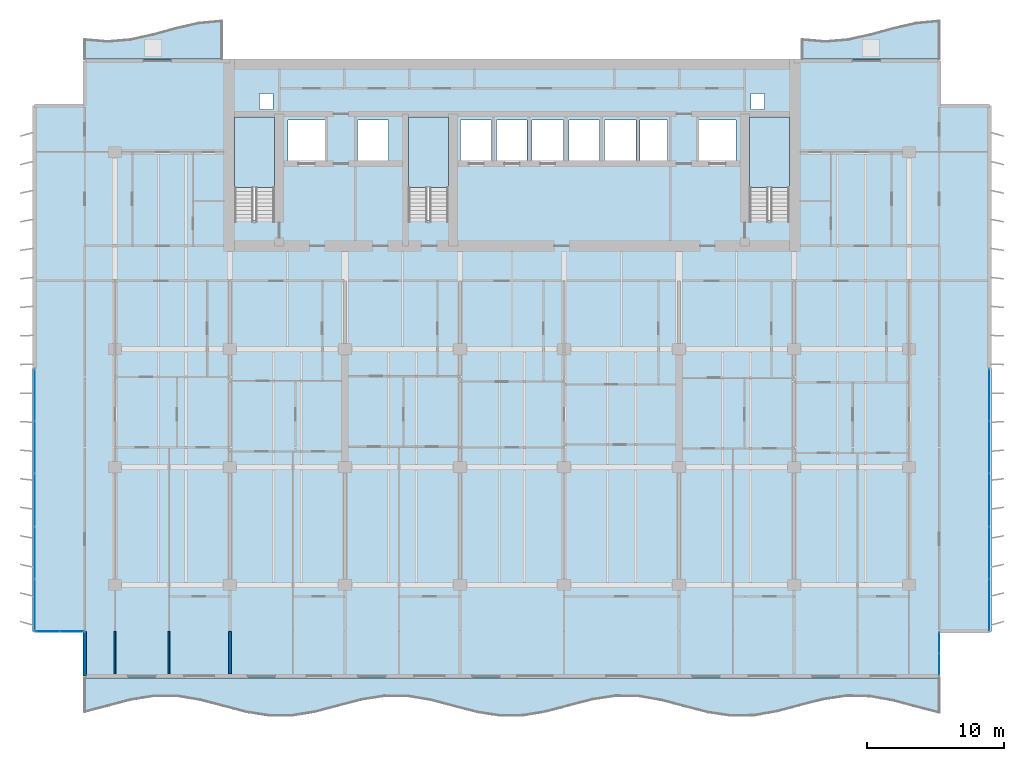
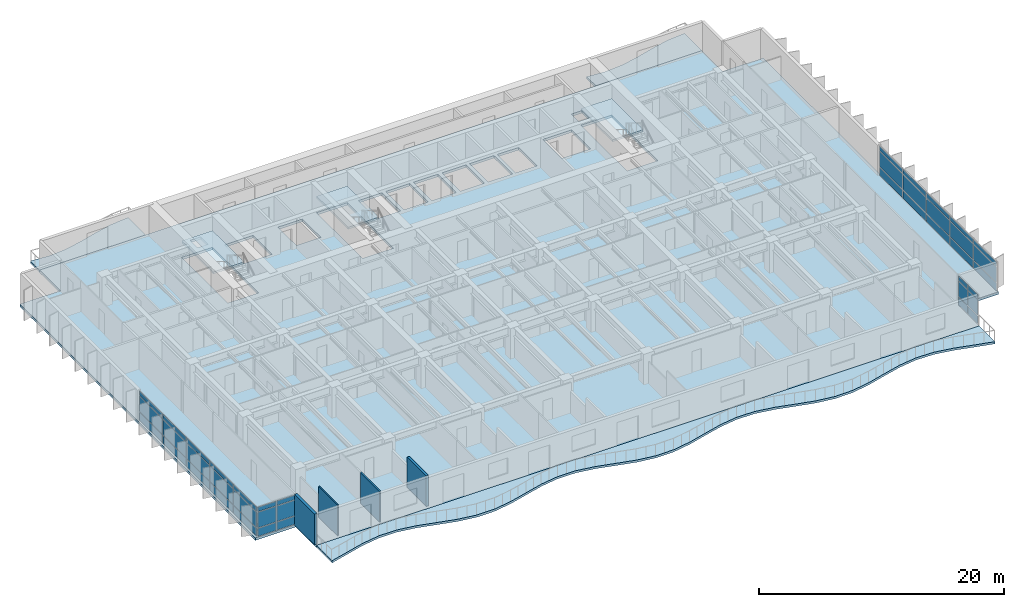
# One storey, part 5 of 17: 42 plates, 7 slabs, 4 walls, 7 elements without a shape of their own.
"""IFC4 building model written with IfcOpenShell, lengths in metres."""

import ifcopenshell
import ifcopenshell.guid

model = None  # the IFC model being written
_history = None  # IfcOwnerHistory: only IFC2X3 demands one
_inside = {}  # id of a spatial element -> (the spatial element, [elements in it])
_under = {}  # id of a project, library or spatial element -> (it, [spatial elements below it])
_declared = {}  # id of a project -> (the project, [libraries it declares])
_typed = {}  # id of a type object -> (the type object, [elements of that type])
_made_of = {}  # id of a material, layer set ... -> (it, [elements and type objects made of it])


def new_model(schema):
    """Start an empty IFC model of exactly this schema.

    Asked for "IFC4X3", IfcOpenShell would pick the latest addendum, in which some entities
    have other attributes; the version numbers below select the first issue.
    IFC2X3 requires an IfcOwnerHistory on every rooted entity: one is made here for all.
    """
    global model, _history
    if schema == "IFC4X3":
        model = ifcopenshell.file(schema_version=(4, 3, 0, 0))
    else:
        model = ifcopenshell.file(schema=schema)
    _inside.clear()
    _under.clear()
    _declared.clear()
    _typed.clear()
    _made_of.clear()
    _history = None
    if model.schema == "IFC2X3":
        org = make("IfcOrganization", Name="unknown")
        user = make(
            "IfcPersonAndOrganization",
            ThePerson=make("IfcPerson", FamilyName="unknown"),
            TheOrganization=org,
        )
        app = make(
            "IfcApplication",
            ApplicationDeveloper=org,
            Version="unknown",
            ApplicationFullName="unknown",
            ApplicationIdentifier="unknown",
        )
        _history = make(
            "IfcOwnerHistory",
            OwningUser=user,
            OwningApplication=app,
            ChangeAction="ADDED",
            CreationDate=0,
        )
    return model


def make(cls, **values):
    """One entity of the class cls with the attributes given. An attribute that is None is left unset."""
    return model.create_entity(
        cls, **{name: value for name, value in values.items() if value is not None}
    )


def rooted(cls, **values):
    """An entity with a GlobalId (a new one), such as an element, a storey or a relation."""
    return make(cls, GlobalId=ifcopenshell.guid.new(), OwnerHistory=_history, **values)


def si_unit(unit_type, name, prefix=None):
    """IfcSIUnit, for example si_unit("LENGTHUNIT", "METRE", prefix="MILLI")."""
    return make("IfcSIUnit", UnitType=unit_type, Prefix=prefix, Name=name)


def assignment(units):
    """IfcUnitAssignment: the units of a project."""
    return None if units is None else make("IfcUnitAssignment", Units=units)


def point(xyz):
    """IfcCartesianPoint."""
    return None if xyz is None else make("IfcCartesianPoint", Coordinates=xyz)


def direction(xyz):
    """IfcDirection."""
    return None if xyz is None else make("IfcDirection", DirectionRatios=xyz)


def frame(location, z_axis=None, x_axis=None):
    """IfcAxis2Placement3D, a coordinate frame: its origin and axes. An axis left out is left unset."""
    return make(
        "IfcAxis2Placement3D",
        Location=point(location),
        Axis=direction(z_axis),
        RefDirection=direction(x_axis),
    )


def frame_2d(location, x_axis=None):
    """IfcAxis2Placement2D, a coordinate frame in the plane: its origin and x axis."""
    return make(
        "IfcAxis2Placement2D", Location=point(location), RefDirection=direction(x_axis)
    )


def origin():
    """The frame at (0, 0, 0) with its axes left unset."""
    return frame((0.0, 0.0, 0.0))


def origin_2d():
    """The frame at (0, 0) in the plane with its x axis left unset."""
    return frame_2d((0.0, 0.0))


def place(relative_to, where):
    """IfcLocalPlacement: puts the frame where relative to a parent placement (None: the world)."""
    return make(
        "IfcLocalPlacement", PlacementRelTo=relative_to, RelativePlacement=where
    )


def context(
    kind, dimensions, precision=None, world=None, true_north=None, identifier=None
):
    """IfcGeometricRepresentationContext, for example the 3D "Model" context."""
    return make(
        "IfcGeometricRepresentationContext",
        ContextIdentifier=identifier,
        ContextType=kind,
        CoordinateSpaceDimension=dimensions,
        Precision=precision,
        WorldCoordinateSystem=world,
        TrueNorth=true_north,
    )


def subcontext(parent, identifier, kind, view, scale=None):
    """IfcGeometricRepresentationSubContext, for example "Body" below "Model"."""
    return make(
        "IfcGeometricRepresentationSubContext",
        ContextIdentifier=identifier,
        ContextType=kind,
        ParentContext=parent,
        TargetScale=scale,
        TargetView=view,
    )


def project(units=None, contexts=None):
    """IfcProject with its units and contexts."""
    return rooted(
        "IfcProject",
        Name="project",
        RepresentationContexts=contexts,
        UnitsInContext=assignment(units),
    )


def spatial(cls, under=None, at=None, **own):
    """A site, building, storey or space (cls), placed at a placement, below another one or the project."""
    s = rooted(cls, ObjectPlacement=at, **own)
    if under is not None:
        _under.setdefault(under.id(), (under, []))[1].append(s)
    return s


def polyline(points):
    """IfcPolyline through the points."""
    return make("IfcPolyline", Points=[point(p) for p in points])


def profile(cls, at=None, kind="AREA", **sizes):
    """A parametric profile (cls). Its sizes go by their IFC names, for example OverallWidth=200.0."""
    return make(cls, ProfileType=kind, Position=at, **sizes)


def rectangle(**sizes):
    """IfcRectangleProfileDef."""
    return profile("IfcRectangleProfileDef", **sizes)


def outline(outer, holes=None, kind="AREA"):
    """IfcArbitraryClosedProfileDef: a profile drawn as a closed curve; with holes, ...WithVoids."""
    if holes is None:
        return make("IfcArbitraryClosedProfileDef", ProfileType=kind, OuterCurve=outer)
    return make(
        "IfcArbitraryProfileDefWithVoids",
        ProfileType=kind,
        OuterCurve=outer,
        InnerCurves=holes,
    )


def extrude(swept, where, along, depth):
    """IfcExtrudedAreaSolid: the profile swept, set in the frame where, extruded along a direction by depth."""
    return make(
        "IfcExtrudedAreaSolid",
        SweptArea=swept,
        Position=where,
        ExtrudedDirection=direction(along),
        Depth=depth,
    )


def shape(context_of_items, identifier, shape_type, items):
    """IfcShapeRepresentation: the items that make up one representation, for example the "Body"."""
    return make(
        "IfcShapeRepresentation",
        ContextOfItems=context_of_items,
        RepresentationIdentifier=identifier,
        RepresentationType=shape_type,
        Items=items,
    )


def material(Name=None, Category=None):
    """IfcMaterial."""
    return make("IfcMaterial", Name=Name, Category=Category)


def layer(
    of_material, thickness, ventilated=None, Name=None, Category=None, Priority=None
):
    """IfcMaterialLayer: one layer of a wall or slab, of a material (None: an air gap)."""
    return make(
        "IfcMaterialLayer",
        Material=of_material,
        LayerThickness=thickness,
        IsVentilated=ventilated,
        Name=Name,
        Category=Category,
        Priority=Priority,
    )


def layer_set(layers, Name=None):
    """IfcMaterialLayerSet."""
    return make("IfcMaterialLayerSet", MaterialLayers=layers, LayerSetName=Name)


def made_of(thing, what):
    """Note that an element or type object is made of a material, layer set ...; save() writes the relation."""
    if what is not None:
        _made_of.setdefault(what.id(), (what, []))[1].append(thing)
    return thing


def type_object(cls, material=None, **own):
    """A type object (cls), such as IfcWallType, which elements share."""
    return made_of(rooted(cls, **own), material)


def element(
    cls,
    number,
    at=None,
    inside=None,
    cuts=None,
    type_object=None,
    material=None,
    context=None,
    identifier="Body",
    shape_type=None,
    held_by="IfcProductDefinitionShape",
    body=None,
    shapes=None,
    **own,
):
    """One element of the class cls, such as IfcWall. Its Tag is "e" and its number.

    at: its placement. inside: the storey or other place that contains it. cuts: it is an
    opening in that element (IfcRelVoidsElement). A single representation is given by context,
    identifier, shape_type and body (its items); several are given by shapes. held_by: the class
    of the entity that holds the representations. save() writes the other relations.
    """
    e = rooted(cls, Tag="e%d" % number, ObjectPlacement=at, **own)
    if body is not None:
        shapes = [shape(context, identifier, shape_type, body)]
    if shapes is not None:
        e.Representation = make(held_by, Representations=shapes)
    if inside is not None:
        _inside.setdefault(inside.id(), (inside, []))[1].append(e)
    if cuts is not None:
        rooted(
            "IfcRelVoidsElement", RelatingBuildingElement=cuts, RelatedOpeningElement=e
        )
    if type_object is not None:
        _typed.setdefault(type_object.id(), (type_object, []))[1].append(e)
    return made_of(e, material)


def aggregate(whole, parts):
    """IfcRelAggregates: a whole, such as a stair, and the parts it consists of."""
    return rooted("IfcRelAggregates", RelatingObject=whole, RelatedObjects=parts)


def save(model, path):
    """Write the relations noted so far, then the file.

    IfcRelAggregates (storeys below a building ...), IfcRelContainedInSpatialStructure (elements
    in a storey), IfcRelDefinesByType, IfcRelAssociatesMaterial and IfcRelDeclares: one each for
    every whole, place, type object, material and project.
    """
    for whole, parts in _under.values():
        aggregate(whole, parts)
    for where, things in _inside.values():
        rooted(
            "IfcRelContainedInSpatialStructure",
            RelatedElements=things,
            RelatingStructure=where,
        )
    for kind, things in _typed.values():
        rooted("IfcRelDefinesByType", RelatedObjects=things, RelatingType=kind)
    for what, things in _made_of.values():
        rooted("IfcRelAssociatesMaterial", RelatedObjects=things, RelatingMaterial=what)
    for by, libraries in _declared.values():
        rooted("IfcRelDeclares", RelatingContext=by, RelatedDefinitions=libraries)
    model.write(path)


model = new_model("IFC4")

# Units and contexts
model_context = context("Model", 3, precision=1e-05, world=origin(), true_north=direction((0.0, 1.0)))
body_context = subcontext(model_context, "Body", "Model", "MODEL_VIEW")
ifc_project = project(units=[si_unit("LENGTHUNIT", "METRE"), si_unit("AREAUNIT", "SQUARE_METRE"), si_unit("VOLUMEUNIT", "CUBIC_METRE"), si_unit("PLANEANGLEUNIT", "RADIAN"), si_unit("MASSUNIT", "GRAM", prefix="KILO")], contexts=[model_context])

# Site, building, storey
site_placement = place(None, origin())
site = spatial("IfcSite", under=ifc_project, at=site_placement, CompositionType="ELEMENT")
building_placement = place(site_placement, origin())
building = spatial("IfcBuilding", under=site, at=building_placement, Name="Caelmar Bay Residences", CompositionType="ELEMENT")
storey_placement = place(building_placement, frame((0.0, 0.0, 87.89990234375)))
storey = spatial("IfcBuildingStorey", under=building, at=storey_placement, Name="L23", CompositionType="ELEMENT", Elevation=87.89990234375)

# Curtain wall, plates
ifc_material_1 = material(Name="Anodised bronze aluminium 6063-T6 and laminated glass", Category="aluminium")
ifc_layer_1 = layer(ifc_material_1, 0.179931640625)
ifc_layer_set_1 = layer_set([ifc_layer_1], Name="Anodised bronze aluminium 6063-T6 and laminated glass")
curtain_wall_type_1 = type_object("IfcCurtainWallType", Name="CW6-NTC", PredefinedType="NOTDEFINED", material=ifc_layer_set_1)
curtain_wall_1_placement = place(storey_placement, origin())
curtain_wall_1 = element("IfcCurtainWall", 1, at=curtain_wall_1_placement, inside=storey, type_object=curtain_wall_type_1, Name="CW6 curtain wall L23", PredefinedType="NOTDEFINED")
ifc_material_2 = material(Name="Bronze-tinted laminated low-E hurricane glass 28 mm", Category="glass")
ifc_layer_2 = layer(ifc_material_2, 0.028076171875)
ifc_layer_set_2 = layer_set([ifc_layer_2], Name="Bronze-tinted laminated low-E hurricane glass 28 mm")
plate_type = type_object("IfcPlateType", Name="CWP-GLZ28", PredefinedType="CURTAIN_PANEL", material=ifc_layer_set_2)
plate_1_placement = place(storey_placement, frame((4.982421875, 8.800048828125, 0.080078125), z_axis=(0.0, 0.0, 1.0), x_axis=(1.0, 0.0, 0.0)))
plate_1 = element("IfcPlate", 2, at=plate_1_placement, type_object=plate_type, Name="CW6 panel 1.1", PredefinedType="CURTAIN_PANEL", context=body_context, shape_type="SweptSolid", body=[
    extrude(rectangle(XDim=1.705078125, YDim=0.028076171875, at=origin_2d()), origin(), (0.0, 0.0, 1.0), 0.780029296875),
])
plate_2_placement = place(storey_placement, frame((4.982421875, 8.800048828125, 0.940185546875), z_axis=(0.0, 0.0, 1.0), x_axis=(1.0, 0.0, 0.0)))
plate_2 = element("IfcPlate", 3, at=plate_2_placement, type_object=plate_type, Name="CW6 panel 1.2", PredefinedType="CURTAIN_PANEL", context=body_context, shape_type="SweptSolid", body=[
    extrude(rectangle(XDim=1.705078125, YDim=0.028076171875, at=origin_2d()), origin(), (0.0, 0.0, 1.0), 1.52001953125),
])
plate_3_placement = place(storey_placement, frame((4.982421875, 8.800048828125, 2.5400390625), z_axis=(0.0, 0.0, 1.0), x_axis=(1.0, 0.0, 0.0)))
plate_3 = element("IfcPlate", 4, at=plate_3_placement, type_object=plate_type, Name="CW6 panel 1.3", PredefinedType="CURTAIN_PANEL", context=body_context, shape_type="SweptSolid", body=[
    extrude(rectangle(XDim=1.705078125, YDim=0.028076171875, at=origin_2d()), origin(), (0.0, 0.0, 1.0), 0.429931640625),
])
plate_4_placement = place(storey_placement, frame((6.767578125, 8.800048828125, 0.080078125), z_axis=(0.0, 0.0, 1.0), x_axis=(1.0, 0.0, 0.0)))
plate_4 = element("IfcPlate", 5, at=plate_4_placement, type_object=plate_type, Name="CW6 panel 2.1", PredefinedType="CURTAIN_PANEL", context=body_context, shape_type="SweptSolid", body=[
    extrude(rectangle(XDim=1.705078125, YDim=0.028076171875, at=origin_2d()), origin(), (0.0, 0.0, 1.0), 0.780029296875),
])
plate_5_placement = place(storey_placement, frame((6.767578125, 8.800048828125, 0.940185546875), z_axis=(0.0, 0.0, 1.0), x_axis=(1.0, 0.0, 0.0)))
plate_5 = element("IfcPlate", 6, at=plate_5_placement, type_object=plate_type, Name="CW6 panel 2.2", PredefinedType="CURTAIN_PANEL", context=body_context, shape_type="SweptSolid", body=[
    extrude(rectangle(XDim=1.705078125, YDim=0.028076171875, at=origin_2d()), origin(), (0.0, 0.0, 1.0), 1.52001953125),
])
plate_6_placement = place(storey_placement, frame((6.767578125, 8.800048828125, 2.5400390625), z_axis=(0.0, 0.0, 1.0), x_axis=(1.0, 0.0, 0.0)))
plate_6 = element("IfcPlate", 7, at=plate_6_placement, type_object=plate_type, Name="CW6 panel 2.3", PredefinedType="CURTAIN_PANEL", context=body_context, shape_type="SweptSolid", body=[
    extrude(rectangle(XDim=1.705078125, YDim=0.028076171875, at=origin_2d()), origin(), (0.0, 0.0, 1.0), 0.429931640625),
])
aggregate(curtain_wall_1, [plate_1, plate_2, plate_3, plate_4, plate_5, plate_6])

curtain_wall_2_placement = place(storey_placement, origin())
curtain_wall_2 = element("IfcCurtainWall", 8, at=curtain_wall_2_placement, inside=storey, type_object=curtain_wall_type_1, Name="CW6 curtain wall L23", PredefinedType="NOTDEFINED")
plate_7_placement = place(storey_placement, frame((70.10009765625, 6.382568359375, 0.080078125), z_axis=(0.0, 0.0, 1.0), x_axis=(0.0, 1.0, 0.0)))
plate_7 = element("IfcPlate", 9, at=plate_7_placement, type_object=plate_type, Name="CW6 panel 1.1", PredefinedType="CURTAIN_PANEL", context=body_context, shape_type="SweptSolid", body=[
    extrude(rectangle(XDim=1.5048828125, YDim=0.028076171875, at=origin_2d()), origin(), (0.0, 0.0, 1.0), 0.780029296875),
])
plate_8_placement = place(storey_placement, frame((70.10009765625, 6.382568359375, 0.940185546875), z_axis=(0.0, 0.0, 1.0), x_axis=(0.0, 1.0, 0.0)))
plate_8 = element("IfcPlate", 10, at=plate_8_placement, type_object=plate_type, Name="CW6 panel 1.2", PredefinedType="CURTAIN_PANEL", context=body_context, shape_type="SweptSolid", body=[
    extrude(rectangle(XDim=1.5048828125, YDim=0.028076171875, at=origin_2d()), origin(), (0.0, 0.0, 1.0), 1.52001953125),
])
plate_9_placement = place(storey_placement, frame((70.10009765625, 6.382568359375, 2.5400390625), z_axis=(0.0, 0.0, 1.0), x_axis=(0.0, 1.0, 0.0)))
plate_9 = element("IfcPlate", 11, at=plate_9_placement, type_object=plate_type, Name="CW6 panel 1.3", PredefinedType="CURTAIN_PANEL", context=body_context, shape_type="SweptSolid", body=[
    extrude(rectangle(XDim=1.5048828125, YDim=0.028076171875, at=origin_2d()), origin(), (0.0, 0.0, 1.0), 0.429931640625),
])
plate_10_placement = place(storey_placement, frame((70.10009765625, 7.967529296875, 0.080078125), z_axis=(0.0, 0.0, 1.0), x_axis=(0.0, 1.0, 0.0)))
plate_10 = element("IfcPlate", 12, at=plate_10_placement, type_object=plate_type, Name="CW6 panel 2.1", PredefinedType="CURTAIN_PANEL", context=body_context, shape_type="SweptSolid", body=[
    extrude(rectangle(XDim=1.5048828125, YDim=0.028076171875, at=origin_2d()), origin(), (0.0, 0.0, 1.0), 0.780029296875),
])
plate_11_placement = place(storey_placement, frame((70.10009765625, 7.967529296875, 0.940185546875), z_axis=(0.0, 0.0, 1.0), x_axis=(0.0, 1.0, 0.0)))
plate_11 = element("IfcPlate", 13, at=plate_11_placement, type_object=plate_type, Name="CW6 panel 2.2", PredefinedType="CURTAIN_PANEL", context=body_context, shape_type="SweptSolid", body=[
    extrude(rectangle(XDim=1.5048828125, YDim=0.028076171875, at=origin_2d()), origin(), (0.0, 0.0, 1.0), 1.52001953125),
])
plate_12_placement = place(storey_placement, frame((70.10009765625, 7.967529296875, 2.5400390625), z_axis=(0.0, 0.0, 1.0), x_axis=(0.0, 1.0, 0.0)))
plate_12 = element("IfcPlate", 14, at=plate_12_placement, type_object=plate_type, Name="CW6 panel 2.3", PredefinedType="CURTAIN_PANEL", context=body_context, shape_type="SweptSolid", body=[
    extrude(rectangle(XDim=1.5048828125, YDim=0.028076171875, at=origin_2d()), origin(), (0.0, 0.0, 1.0), 0.429931640625),
])
aggregate(curtain_wall_2, [plate_7, plate_8, plate_9, plate_10, plate_11, plate_12])

ifc_layer_3 = layer(ifc_material_1, 0.179931640625)
ifc_layer_set_3 = layer_set([ifc_layer_3], Name="Anodised bronze aluminium 6063-T6 and laminated glass")
curtain_wall_type_2 = type_object("IfcCurtainWallType", Name="CW3-Z2", PredefinedType="NOTDEFINED", material=ifc_layer_set_3)
curtain_wall_3_placement = place(storey_placement, origin())
curtain_wall_3 = element("IfcCurtainWall", 15, at=curtain_wall_3_placement, inside=storey, type_object=curtain_wall_type_2, Name="CW3 curtain wall L23", PredefinedType="NOTDEFINED")
plate_13_placement = place(storey_placement, frame((4.050048828125, 10.739990234375, 0.080078125), z_axis=(0.0, 0.0, 1.0), x_axis=(0.0, 1.0, 0.0)))
plate_13 = element("IfcPlate", 16, at=plate_13_placement, type_object=plate_type, Name="CW3 panel 1.1", PredefinedType="CURTAIN_PANEL", context=body_context, shape_type="SweptSolid", body=[
    extrude(rectangle(XDim=3.719970703125, YDim=0.028076171875, at=origin_2d()), origin(), (0.0, 0.0, 1.0), 0.780029296875),
])
plate_14_placement = place(storey_placement, frame((4.050048828125, 10.739990234375, 0.940185546875), z_axis=(0.0, 0.0, 1.0), x_axis=(0.0, 1.0, 0.0)))
plate_14 = element("IfcPlate", 17, at=plate_14_placement, type_object=plate_type, Name="CW3 panel 1.2", PredefinedType="CURTAIN_PANEL", context=body_context, shape_type="SweptSolid", body=[
    extrude(rectangle(XDim=3.719970703125, YDim=0.028076171875, at=origin_2d()), origin(), (0.0, 0.0, 1.0), 1.52001953125),
])
plate_15_placement = place(storey_placement, frame((4.050048828125, 10.739990234375, 2.5400390625), z_axis=(0.0, 0.0, 1.0), x_axis=(0.0, 1.0, 0.0)))
plate_15 = element("IfcPlate", 18, at=plate_15_placement, type_object=plate_type, Name="CW3 panel 1.3", PredefinedType="CURTAIN_PANEL", context=body_context, shape_type="SweptSolid", body=[
    extrude(rectangle(XDim=3.719970703125, YDim=0.028076171875, at=origin_2d()), origin(), (0.0, 0.0, 1.0), 0.429931640625),
])
plate_16_placement = place(storey_placement, frame((4.050048828125, 14.56005859375, 0.080078125), z_axis=(0.0, 0.0, 1.0), x_axis=(0.0, 1.0, 0.0)))
plate_16 = element("IfcPlate", 19, at=plate_16_placement, type_object=plate_type, Name="CW3 panel 2.1", PredefinedType="CURTAIN_PANEL", context=body_context, shape_type="SweptSolid", body=[
    extrude(rectangle(XDim=3.760009765625, YDim=0.028076171875, at=origin_2d()), origin(), (0.0, 0.0, 1.0), 0.780029296875),
])
plate_17_placement = place(storey_placement, frame((4.050048828125, 14.56005859375, 0.940185546875), z_axis=(0.0, 0.0, 1.0), x_axis=(0.0, 1.0, 0.0)))
plate_17 = element("IfcPlate", 20, at=plate_17_placement, type_object=plate_type, Name="CW3 panel 2.2", PredefinedType="CURTAIN_PANEL", context=body_context, shape_type="SweptSolid", body=[
    extrude(rectangle(XDim=3.760009765625, YDim=0.028076171875, at=origin_2d()), origin(), (0.0, 0.0, 1.0), 1.52001953125),
])
plate_18_placement = place(storey_placement, frame((4.050048828125, 14.56005859375, 2.5400390625), z_axis=(0.0, 0.0, 1.0), x_axis=(0.0, 1.0, 0.0)))
plate_18 = element("IfcPlate", 21, at=plate_18_placement, type_object=plate_type, Name="CW3 panel 2.3", PredefinedType="CURTAIN_PANEL", context=body_context, shape_type="SweptSolid", body=[
    extrude(rectangle(XDim=3.760009765625, YDim=0.028076171875, at=origin_2d()), origin(), (0.0, 0.0, 1.0), 0.429931640625),
])
plate_19_placement = place(storey_placement, frame((4.050048828125, 18.39990234375, 0.080078125), z_axis=(0.0, 0.0, 1.0), x_axis=(0.0, 1.0, 0.0)))
plate_19 = element("IfcPlate", 22, at=plate_19_placement, type_object=plate_type, Name="CW3 panel 3.1", PredefinedType="CURTAIN_PANEL", context=body_context, shape_type="SweptSolid", body=[
    extrude(rectangle(XDim=3.760009765625, YDim=0.028076171875, at=origin_2d()), origin(), (0.0, 0.0, 1.0), 0.780029296875),
])
plate_20_placement = place(storey_placement, frame((4.050048828125, 18.39990234375, 0.940185546875), z_axis=(0.0, 0.0, 1.0), x_axis=(0.0, 1.0, 0.0)))
plate_20 = element("IfcPlate", 23, at=plate_20_placement, type_object=plate_type, Name="CW3 panel 3.2", PredefinedType="CURTAIN_PANEL", context=body_context, shape_type="SweptSolid", body=[
    extrude(rectangle(XDim=3.760009765625, YDim=0.028076171875, at=origin_2d()), origin(), (0.0, 0.0, 1.0), 1.52001953125),
])
plate_21_placement = place(storey_placement, frame((4.050048828125, 18.39990234375, 2.5400390625), z_axis=(0.0, 0.0, 1.0), x_axis=(0.0, 1.0, 0.0)))
plate_21 = element("IfcPlate", 24, at=plate_21_placement, type_object=plate_type, Name="CW3 panel 3.3", PredefinedType="CURTAIN_PANEL", context=body_context, shape_type="SweptSolid", body=[
    extrude(rectangle(XDim=3.760009765625, YDim=0.028076171875, at=origin_2d()), origin(), (0.0, 0.0, 1.0), 0.429931640625),
])
plate_22_placement = place(storey_placement, frame((4.050048828125, 22.239990234375, 0.080078125), z_axis=(0.0, 0.0, 1.0), x_axis=(0.0, 1.0, 0.0)))
plate_22 = element("IfcPlate", 25, at=plate_22_placement, type_object=plate_type, Name="CW3 panel 4.1", PredefinedType="CURTAIN_PANEL", context=body_context, shape_type="SweptSolid", body=[
    extrude(rectangle(XDim=3.760009765625, YDim=0.028076171875, at=origin_2d()), origin(), (0.0, 0.0, 1.0), 0.780029296875),
])
plate_23_placement = place(storey_placement, frame((4.050048828125, 22.239990234375, 0.940185546875), z_axis=(0.0, 0.0, 1.0), x_axis=(0.0, 1.0, 0.0)))
plate_23 = element("IfcPlate", 26, at=plate_23_placement, type_object=plate_type, Name="CW3 panel 4.2", PredefinedType="CURTAIN_PANEL", context=body_context, shape_type="SweptSolid", body=[
    extrude(rectangle(XDim=3.760009765625, YDim=0.028076171875, at=origin_2d()), origin(), (0.0, 0.0, 1.0), 1.52001953125),
])
plate_24_placement = place(storey_placement, frame((4.050048828125, 22.239990234375, 2.5400390625), z_axis=(0.0, 0.0, 1.0), x_axis=(0.0, 1.0, 0.0)))
plate_24 = element("IfcPlate", 27, at=plate_24_placement, type_object=plate_type, Name="CW3 panel 4.3", PredefinedType="CURTAIN_PANEL", context=body_context, shape_type="SweptSolid", body=[
    extrude(rectangle(XDim=3.760009765625, YDim=0.028076171875, at=origin_2d()), origin(), (0.0, 0.0, 1.0), 0.429931640625),
])
plate_25_placement = place(storey_placement, frame((4.050048828125, 26.06005859375, 0.080078125), z_axis=(0.0, 0.0, 1.0), x_axis=(0.0, 1.0, 0.0)))
plate_25 = element("IfcPlate", 28, at=plate_25_placement, type_object=plate_type, Name="CW3 panel 5.1", PredefinedType="CURTAIN_PANEL", context=body_context, shape_type="SweptSolid", body=[
    extrude(rectangle(XDim=3.719970703125, YDim=0.028076171875, at=origin_2d()), origin(), (0.0, 0.0, 1.0), 0.780029296875),
])
plate_26_placement = place(storey_placement, frame((4.050048828125, 26.06005859375, 0.940185546875), z_axis=(0.0, 0.0, 1.0), x_axis=(0.0, 1.0, 0.0)))
plate_26 = element("IfcPlate", 29, at=plate_26_placement, type_object=plate_type, Name="CW3 panel 5.2", PredefinedType="CURTAIN_PANEL", context=body_context, shape_type="SweptSolid", body=[
    extrude(rectangle(XDim=3.719970703125, YDim=0.028076171875, at=origin_2d()), origin(), (0.0, 0.0, 1.0), 1.52001953125),
])
plate_27_placement = place(storey_placement, frame((4.050048828125, 26.06005859375, 2.5400390625), z_axis=(0.0, 0.0, 1.0), x_axis=(0.0, 1.0, 0.0)))
plate_27 = element("IfcPlate", 30, at=plate_27_placement, type_object=plate_type, Name="CW3 panel 5.3", PredefinedType="CURTAIN_PANEL", context=body_context, shape_type="SweptSolid", body=[
    extrude(rectangle(XDim=3.719970703125, YDim=0.028076171875, at=origin_2d()), origin(), (0.0, 0.0, 1.0), 0.429931640625),
])
aggregate(curtain_wall_3, [plate_13, plate_14, plate_15, plate_16, plate_17, plate_18, plate_19, plate_20, plate_21, plate_22, plate_23, plate_24, plate_25, plate_26, plate_27])

curtain_wall_4_placement = place(storey_placement, origin())
curtain_wall_4 = element("IfcCurtainWall", 31, at=curtain_wall_4_placement, inside=storey, type_object=curtain_wall_type_2, Name="CW3 curtain wall L23", PredefinedType="NOTDEFINED")
plate_28_placement = place(storey_placement, frame((73.75, 26.06005859375, 0.080078125), z_axis=(0.0, 0.0, 1.0), x_axis=(0.0, -1.0, 0.0)))
plate_28 = element("IfcPlate", 32, at=plate_28_placement, type_object=plate_type, Name="CW3 panel 1.1", PredefinedType="CURTAIN_PANEL", context=body_context, shape_type="SweptSolid", body=[
    extrude(rectangle(XDim=3.719970703125, YDim=0.028076171875, at=origin_2d()), origin(), (0.0, 0.0, 1.0), 0.780029296875),
])
plate_29_placement = place(storey_placement, frame((73.75, 26.06005859375, 0.940185546875), z_axis=(0.0, 0.0, 1.0), x_axis=(0.0, -1.0, 0.0)))
plate_29 = element("IfcPlate", 33, at=plate_29_placement, type_object=plate_type, Name="CW3 panel 1.2", PredefinedType="CURTAIN_PANEL", context=body_context, shape_type="SweptSolid", body=[
    extrude(rectangle(XDim=3.719970703125, YDim=0.028076171875, at=origin_2d()), origin(), (0.0, 0.0, 1.0), 1.52001953125),
])
plate_30_placement = place(storey_placement, frame((73.75, 26.06005859375, 2.5400390625), z_axis=(0.0, 0.0, 1.0), x_axis=(0.0, -1.0, 0.0)))
plate_30 = element("IfcPlate", 34, at=plate_30_placement, type_object=plate_type, Name="CW3 panel 1.3", PredefinedType="CURTAIN_PANEL", context=body_context, shape_type="SweptSolid", body=[
    extrude(rectangle(XDim=3.719970703125, YDim=0.028076171875, at=origin_2d()), origin(), (0.0, 0.0, 1.0), 0.429931640625),
])
plate_31_placement = place(storey_placement, frame((73.75, 22.239990234375, 0.080078125), z_axis=(0.0, 0.0, 1.0), x_axis=(0.0, -1.0, 0.0)))
plate_31 = element("IfcPlate", 35, at=plate_31_placement, type_object=plate_type, Name="CW3 panel 2.1", PredefinedType="CURTAIN_PANEL", context=body_context, shape_type="SweptSolid", body=[
    extrude(rectangle(XDim=3.760009765625, YDim=0.028076171875, at=origin_2d()), origin(), (0.0, 0.0, 1.0), 0.780029296875),
])
plate_32_placement = place(storey_placement, frame((73.75, 22.239990234375, 0.940185546875), z_axis=(0.0, 0.0, 1.0), x_axis=(0.0, -1.0, 0.0)))
plate_32 = element("IfcPlate", 36, at=plate_32_placement, type_object=plate_type, Name="CW3 panel 2.2", PredefinedType="CURTAIN_PANEL", context=body_context, shape_type="SweptSolid", body=[
    extrude(rectangle(XDim=3.760009765625, YDim=0.028076171875, at=origin_2d()), origin(), (0.0, 0.0, 1.0), 1.52001953125),
])
plate_33_placement = place(storey_placement, frame((73.75, 22.239990234375, 2.5400390625), z_axis=(0.0, 0.0, 1.0), x_axis=(0.0, -1.0, 0.0)))
plate_33 = element("IfcPlate", 37, at=plate_33_placement, type_object=plate_type, Name="CW3 panel 2.3", PredefinedType="CURTAIN_PANEL", context=body_context, shape_type="SweptSolid", body=[
    extrude(rectangle(XDim=3.760009765625, YDim=0.028076171875, at=origin_2d()), origin(), (0.0, 0.0, 1.0), 0.429931640625),
])
plate_34_placement = place(storey_placement, frame((73.75, 18.39990234375, 0.080078125), z_axis=(0.0, 0.0, 1.0), x_axis=(0.0, -1.0, 0.0)))
plate_34 = element("IfcPlate", 38, at=plate_34_placement, type_object=plate_type, Name="CW3 panel 3.1", PredefinedType="CURTAIN_PANEL", context=body_context, shape_type="SweptSolid", body=[
    extrude(rectangle(XDim=3.760009765625, YDim=0.028076171875, at=origin_2d()), origin(), (0.0, 0.0, 1.0), 0.780029296875),
])
plate_35_placement = place(storey_placement, frame((73.75, 18.39990234375, 0.940185546875), z_axis=(0.0, 0.0, 1.0), x_axis=(0.0, -1.0, 0.0)))
plate_35 = element("IfcPlate", 39, at=plate_35_placement, type_object=plate_type, Name="CW3 panel 3.2", PredefinedType="CURTAIN_PANEL", context=body_context, shape_type="SweptSolid", body=[
    extrude(rectangle(XDim=3.760009765625, YDim=0.028076171875, at=origin_2d()), origin(), (0.0, 0.0, 1.0), 1.52001953125),
])
plate_36_placement = place(storey_placement, frame((73.75, 18.39990234375, 2.5400390625), z_axis=(0.0, 0.0, 1.0), x_axis=(0.0, -1.0, 0.0)))
plate_36 = element("IfcPlate", 40, at=plate_36_placement, type_object=plate_type, Name="CW3 panel 3.3", PredefinedType="CURTAIN_PANEL", context=body_context, shape_type="SweptSolid", body=[
    extrude(rectangle(XDim=3.760009765625, YDim=0.028076171875, at=origin_2d()), origin(), (0.0, 0.0, 1.0), 0.429931640625),
])
plate_37_placement = place(storey_placement, frame((73.75, 14.56005859375, 0.080078125), z_axis=(0.0, 0.0, 1.0), x_axis=(0.0, -1.0, 0.0)))
plate_37 = element("IfcPlate", 41, at=plate_37_placement, type_object=plate_type, Name="CW3 panel 4.1", PredefinedType="CURTAIN_PANEL", context=body_context, shape_type="SweptSolid", body=[
    extrude(rectangle(XDim=3.760009765625, YDim=0.028076171875, at=origin_2d()), origin(), (0.0, 0.0, 1.0), 0.780029296875),
])
plate_38_placement = place(storey_placement, frame((73.75, 14.56005859375, 0.940185546875), z_axis=(0.0, 0.0, 1.0), x_axis=(0.0, -1.0, 0.0)))
plate_38 = element("IfcPlate", 42, at=plate_38_placement, type_object=plate_type, Name="CW3 panel 4.2", PredefinedType="CURTAIN_PANEL", context=body_context, shape_type="SweptSolid", body=[
    extrude(rectangle(XDim=3.760009765625, YDim=0.028076171875, at=origin_2d()), origin(), (0.0, 0.0, 1.0), 1.52001953125),
])
plate_39_placement = place(storey_placement, frame((73.75, 14.56005859375, 2.5400390625), z_axis=(0.0, 0.0, 1.0), x_axis=(0.0, -1.0, 0.0)))
plate_39 = element("IfcPlate", 43, at=plate_39_placement, type_object=plate_type, Name="CW3 panel 4.3", PredefinedType="CURTAIN_PANEL", context=body_context, shape_type="SweptSolid", body=[
    extrude(rectangle(XDim=3.760009765625, YDim=0.028076171875, at=origin_2d()), origin(), (0.0, 0.0, 1.0), 0.429931640625),
])
plate_40_placement = place(storey_placement, frame((73.75, 10.739990234375, 0.080078125), z_axis=(0.0, 0.0, 1.0), x_axis=(0.0, -1.0, 0.0)))
plate_40 = element("IfcPlate", 44, at=plate_40_placement, type_object=plate_type, Name="CW3 panel 5.1", PredefinedType="CURTAIN_PANEL", context=body_context, shape_type="SweptSolid", body=[
    extrude(rectangle(XDim=3.719970703125, YDim=0.028076171875, at=origin_2d()), origin(), (0.0, 0.0, 1.0), 0.780029296875),
])
plate_41_placement = place(storey_placement, frame((73.75, 10.739990234375, 0.940185546875), z_axis=(0.0, 0.0, 1.0), x_axis=(0.0, -1.0, 0.0)))
plate_41 = element("IfcPlate", 45, at=plate_41_placement, type_object=plate_type, Name="CW3 panel 5.2", PredefinedType="CURTAIN_PANEL", context=body_context, shape_type="SweptSolid", body=[
    extrude(rectangle(XDim=3.719970703125, YDim=0.028076171875, at=origin_2d()), origin(), (0.0, 0.0, 1.0), 1.52001953125),
])
plate_42_placement = place(storey_placement, frame((73.75, 10.739990234375, 2.5400390625), z_axis=(0.0, 0.0, 1.0), x_axis=(0.0, -1.0, 0.0)))
plate_42 = element("IfcPlate", 46, at=plate_42_placement, type_object=plate_type, Name="CW3 panel 5.3", PredefinedType="CURTAIN_PANEL", context=body_context, shape_type="SweptSolid", body=[
    extrude(rectangle(XDim=3.719970703125, YDim=0.028076171875, at=origin_2d()), origin(), (0.0, 0.0, 1.0), 0.429931640625),
])
aggregate(curtain_wall_4, [plate_28, plate_29, plate_30, plate_31, plate_32, plate_33, plate_34, plate_35, plate_36, plate_37, plate_38, plate_39, plate_40, plate_41, plate_42])

# Slabs
ifc_material_3 = material(Name="Concrete f'c 40 MPa (6,000 psi)", Category="concrete")
ifc_layer_4 = layer(ifc_material_3, 0.219970703125)
ifc_layer_set_4 = layer_set([ifc_layer_4], Name="Concrete f'c 40 MPa (6,000 psi)")
slab_type_1 = type_object("IfcSlabType", Name="SLB-BAL-220", PredefinedType="FLOOR", material=ifc_layer_set_4)
slab_1_placement = place(storey_placement, frame((0.0, 0.0, -0.219970703125)))
element("IfcSlab", 47, at=slab_1_placement, inside=storey, type_object=slab_type_1, Name="L23 Sinusoidal Tree-Balcony Slab south", PredefinedType="FLOOR", context=body_context, shape_type="SweptSolid", body=[
    extrude(outline(polyline([(7.699951171875, 2.859130859375), (9.386474609375, 3.3017578125), (11.072998046875, 3.743896484375), (12.759521484375, 4.014892578125), (14.44580078125, 4.010986328125), (16.13232421875, 3.7333984375), (17.81884765625, 3.2890625), (19.50537109375, 2.848876953125), (21.19189453125, 2.582275390625), (22.87841796875, 2.591796875), (24.56494140625, 2.8740234375), (26.25146484375, 3.320068359375), (27.937744140625, 3.75830078125), (29.624267578125, 4.020263671875), (31.310791015625, 4.0048828125), (32.997314453125, 3.718505859375), (34.683837890625, 3.27099609375), (36.370361328125, 2.83447265625), (38.056884765625, 2.577392578125), (39.7431640625, 2.59814453125), (41.4296875, 2.88916015625), (43.1162109375, 3.338134765625), (44.802734375, 3.772705078125), (46.4892578125, 4.025146484375), (48.17578125, 3.99853515625), (49.8623046875, 3.703125), (51.548583984375, 3.252685546875), (53.235107421875, 2.8203125), (54.921630859375, 2.572509765625), (56.608154296875, 2.604736328125), (58.294677734375, 2.904296875), (59.981201171875, 3.3564453125), (61.66748046875, 3.78662109375), (63.35400390625, 4.029541015625), (65.04052734375, 3.99169921875), (66.72705078125, 3.687744140625), (68.41357421875, 3.234619140625), (70.10009765625, 2.806396484375), (70.10009765625, 5.39990234375), (7.699951171875, 5.39990234375), (7.699951171875, 2.859130859375)])), origin(), (0.0, 0.0, 1.0), 0.219970703125),
])
slab_2_placement = place(storey_placement, frame((0.0, 0.0, -0.219970703125)))
element("IfcSlab", 48, at=slab_2_placement, inside=storey, type_object=slab_type_1, Name="L23 Sinusoidal Tree-Balcony Slab north_west", PredefinedType="FLOOR", context=body_context, shape_type="SweptSolid", body=[
    extrude(outline(polyline([(7.699951171875, 50.60009765625), (17.699951171875, 50.60009765625), (17.699951171875, 53.44970703125), (16.033203125, 53.295654296875), (14.36669921875, 52.91748046875), (12.699951171875, 52.45751953125), (11.033203125, 52.0888671875), (9.36669921875, 51.949951171875), (7.699951171875, 52.09326171875), (7.699951171875, 50.60009765625)])), origin(), (0.0, 0.0, 1.0), 0.219970703125),
])
slab_3_placement = place(storey_placement, frame((0.0, 0.0, -0.219970703125)))
element("IfcSlab", 49, at=slab_3_placement, inside=storey, type_object=slab_type_1, Name="L23 Sinusoidal Tree-Balcony Slab north_east", PredefinedType="FLOOR", context=body_context, shape_type="SweptSolid", body=[
    extrude(outline(polyline([(60.10009765625, 50.60009765625), (70.10009765625, 50.60009765625), (70.10009765625, 53.44970703125), (68.433349609375, 53.295654296875), (66.7666015625, 52.91748046875), (65.10009765625, 52.45751953125), (63.433349609375, 52.0888671875), (61.7666015625, 51.949951171875), (60.10009765625, 52.09326171875), (60.10009765625, 50.60009765625)])), origin(), (0.0, 0.0, 1.0), 0.219970703125),
])

# Stair, slab
stair_type = type_object("IfcStairType", Name="ST-TYP-165", PredefinedType="HALF_TURN_STAIR", material=ifc_material_3)
stair_1_placement = place(storey_placement, origin())
stair_1 = element("IfcStair", 50, at=stair_1_placement, inside=storey, type_object=stair_type, Name="L23 West Smokeproof Exit Stair ST1", PredefinedType="HALF_TURN_STAIR")
ifc_layer_5 = layer(ifc_material_3, 0.199951171875)
ifc_layer_set_5 = layer_set([ifc_layer_5], Name="Concrete f'c 40 MPa (6,000 psi)")
slab_type_2 = type_object("IfcSlabType", Name="SLB-LND-200", PredefinedType="LANDING", material=ifc_layer_set_5)
slab_4_placement = place(storey_placement, frame((0.0, 0.0, 1.4501953125)))
slab_4 = element("IfcSlab", 51, at=slab_4_placement, type_object=slab_type_2, Name="ST1 landing 1", PredefinedType="LANDING", context=body_context, shape_type="SweptSolid", body=[
    extrude(outline(polyline([(21.550048828125, 41.219970703125), (21.550048828125, 46.35009765625), (18.64990234375, 46.35009765625), (18.64990234375, 41.219970703125), (21.550048828125, 41.219970703125)])), origin(), (0.0, 0.0, 1.0), 0.199951171875),
])
aggregate(stair_1, [slab_4])

stair_2_placement = place(storey_placement, origin())
stair_2 = element("IfcStair", 52, at=stair_2_placement, inside=storey, type_object=stair_type, Name="L23 East Smokeproof Exit Stair ST2", PredefinedType="HALF_TURN_STAIR")
slab_5_placement = place(storey_placement, frame((0.0, 0.0, 1.4501953125)))
slab_5 = element("IfcSlab", 53, at=slab_5_placement, type_object=slab_type_2, Name="ST2 landing 1", PredefinedType="LANDING", context=body_context, shape_type="SweptSolid", body=[
    extrude(outline(polyline([(59.14990234375, 41.219970703125), (59.14990234375, 46.35009765625), (56.25, 46.35009765625), (56.25, 41.219970703125), (59.14990234375, 41.219970703125)])), origin(), (0.0, 0.0, 1.0), 0.199951171875),
])
aggregate(stair_2, [slab_5])

stair_3_placement = place(storey_placement, origin())
stair_3 = element("IfcStair", 54, at=stair_3_placement, inside=storey, type_object=stair_type, Name="L23 Central Smokeproof Exit Stair ST3", PredefinedType="HALF_TURN_STAIR")
slab_6_placement = place(storey_placement, frame((0.0, 0.0, 1.4501953125)))
slab_6 = element("IfcSlab", 55, at=slab_6_placement, type_object=slab_type_2, Name="ST3 landing 1", PredefinedType="LANDING", context=body_context, shape_type="SweptSolid", body=[
    extrude(outline(polyline([(34.25, 41.219970703125), (34.25, 46.35009765625), (31.35009765625, 46.35009765625), (31.35009765625, 41.219970703125), (34.25, 41.219970703125)])), origin(), (0.0, 0.0, 1.0), 0.199951171875),
])
aggregate(stair_3, [slab_6])

# Slab
ifc_layer_6 = layer(ifc_material_3, 0.25)
ifc_layer_set_6 = layer_set([ifc_layer_6], Name="Concrete f'c 40 MPa (6,000 psi)")
slab_type_3 = type_object("IfcSlabType", Name="SLB-RES-250", PredefinedType="FLOOR", material=ifc_layer_set_6)
slab_7_placement = place(storey_placement, frame((0.0, 0.0, -0.25)))
element("IfcSlab", 56, at=slab_7_placement, inside=storey, type_object=slab_type_3, Name="L23 Structural Floor Slab", PredefinedType="FLOOR", context=body_context, shape_type="SweptSolid", body=[
    extrude(outline(polyline([(7.699951171875, 5.39990234375), (70.10009765625, 5.39990234375), (70.10009765625, 8.800048828125), (73.89990234375, 8.800048828125), (73.89990234375, 47.199951171875), (70.10009765625, 47.199951171875), (70.10009765625, 50.60009765625), (7.699951171875, 50.60009765625), (7.699951171875, 47.199951171875), (3.89990234375, 47.199951171875), (3.89990234375, 8.800048828125), (7.699951171875, 8.800048828125), (7.699951171875, 5.39990234375)]), holes=[polyline([(18.64990234375, 38.85009765625), (21.550048828125, 38.85009765625), (21.550048828125, 46.35009765625), (18.64990234375, 46.35009765625), (18.64990234375, 38.85009765625)]), polyline([(56.25, 38.85009765625), (59.14990234375, 38.85009765625), (59.14990234375, 46.35009765625), (56.25, 46.35009765625), (56.25, 38.85009765625)]), polyline([(31.35009765625, 38.85009765625), (34.25, 38.85009765625), (34.25, 46.35009765625), (31.35009765625, 46.35009765625), (31.35009765625, 38.85009765625)]), polyline([(22.550048828125, 43.050048828125), (25.25, 43.050048828125), (25.25, 46.14990234375), (22.550048828125, 46.14990234375), (22.550048828125, 43.050048828125)]), polyline([(52.550048828125, 43.050048828125), (55.25, 43.050048828125), (55.25, 46.14990234375), (52.550048828125, 46.14990234375), (52.550048828125, 43.050048828125)]), polyline([(35.14990234375, 43.14990234375), (37.39990234375, 43.14990234375), (37.39990234375, 46.14990234375), (35.14990234375, 46.14990234375), (35.14990234375, 43.14990234375)]), polyline([(37.75, 43.14990234375), (40.0, 43.14990234375), (40.0, 46.14990234375), (37.75, 46.14990234375), (37.75, 43.14990234375)]), polyline([(40.35009765625, 43.14990234375), (42.64990234375, 43.14990234375), (42.64990234375, 46.14990234375), (40.35009765625, 46.14990234375), (40.35009765625, 43.14990234375)]), polyline([(43.050048828125, 43.14990234375), (45.300048828125, 43.14990234375), (45.300048828125, 46.14990234375), (43.050048828125, 46.14990234375), (43.050048828125, 43.14990234375)]), polyline([(45.64990234375, 43.14990234375), (47.949951171875, 43.14990234375), (47.949951171875, 46.14990234375), (45.64990234375, 46.14990234375), (45.64990234375, 43.14990234375)]), polyline([(48.25, 43.14990234375), (50.25, 43.14990234375), (50.25, 46.14990234375), (48.25, 46.14990234375), (48.25, 43.14990234375)]), polyline([(27.60009765625, 43.14990234375), (29.89990234375, 43.14990234375), (29.89990234375, 46.14990234375), (27.60009765625, 46.14990234375), (27.60009765625, 43.14990234375)]), polyline([(20.449951171875, 46.89990234375), (21.449951171875, 46.89990234375), (21.449951171875, 48.10009765625), (20.449951171875, 48.10009765625), (20.449951171875, 46.89990234375)]), polyline([(56.35009765625, 46.89990234375), (57.35009765625, 46.89990234375), (57.35009765625, 48.10009765625), (56.35009765625, 48.10009765625), (56.35009765625, 46.89990234375)])]), origin(), (0.0, 0.0, 1.0), 0.25),
])

# Walls
ifc_material_4 = material(Name="Precast concrete f'c 40 MPa (6,000 psi)", Category="concrete")
ifc_layer_7 = layer(ifc_material_4, 0.25)
ifc_layer_set_7 = layer_set([ifc_layer_7], Name="Precast concrete f'c 40 MPa (6,000 psi)")
wall_type_1 = type_object("IfcWallType", Name="W-EXT-250", PredefinedType="ELEMENTEDWALL", material=ifc_layer_set_7)
wall_1_placement = place(storey_placement, frame((7.699951171875, 8.800048828125, 0.0), z_axis=(0.0, 0.0, 1.0), x_axis=(0.0, -1.0, 0.0)))
element("IfcWall", 57, at=wall_1_placement, inside=storey, type_object=wall_type_1, Name="L23 SW Notch Return Wall", PredefinedType="ELEMENTEDWALL", context=body_context, shape_type="SweptSolid", body=[
    extrude(rectangle(XDim=3.25, YDim=0.25, at=frame_2d((1.625, 0.0))), origin(), (0.0, 0.0, 1.0), 3.050048828125),
])
ifc_material_5 = material(Name="Acoustic metal-stud gypsum partition 120 mm")
ifc_layer_8 = layer(ifc_material_5, 0.1201171875)
ifc_layer_set_8 = layer_set([ifc_layer_8], Name="Acoustic metal-stud gypsum partition 120 mm")
wall_type_2 = type_object("IfcWallType", Name="W-PRT-120", PredefinedType="PARTITIONING", material=ifc_layer_set_8)
for number, where, z_axis, x_axis, name in (
    (58, (9.89990234375, 5.695068359375, 0.0), (0.0, 0.0, 1.0), (0.0, 1.0, 0.0), "L23 Partition Wall V008"),
    (59, (13.847900390625, 5.695068359375, 0.0), (0.0, 0.0, 1.0), (0.0, 1.0, 0.0), "L23 Partition Wall V014"),
):
    element("IfcWall", number, at=place(storey_placement, frame(where, z_axis=z_axis, x_axis=x_axis)), inside=storey, type_object=wall_type_2, Name=name, PredefinedType="PARTITIONING", context=body_context, shape_type="SweptSolid", body=[
        extrude(rectangle(XDim=3.10498046875, YDim=0.1201171875, at=frame_2d((1.552490234375, 0.0))), origin(), (0.0, 0.0, 1.0), 3.050048828125),
    ])
ifc_material_6 = material(Name="Acoustic twin-stud fire-rated inter-tenancy partition 200 mm")
ifc_layer_9 = layer(ifc_material_6, 0.199951171875)
ifc_layer_set_9 = layer_set([ifc_layer_9], Name="Acoustic twin-stud fire-rated inter-tenancy partition 200 mm")
wall_type_3 = type_object("IfcWallType", Name="W-PTY-200", PredefinedType="PARTITIONING", material=ifc_layer_set_9)
wall_2_placement = place(storey_placement, frame((18.300048828125, 5.695068359375, 0.0), z_axis=(0.0, 0.0, 1.0), x_axis=(0.0, 1.0, 0.0)))
element("IfcWall", 60, at=wall_2_placement, inside=storey, type_object=wall_type_3, Name="L23 Partition Wall V020", PredefinedType="PARTITIONING", context=body_context, shape_type="SweptSolid", body=[
    extrude(rectangle(XDim=3.10498046875, YDim=0.199951171875, at=frame_2d((1.552490234375, 0.0))), origin(), (0.0, 0.0, 1.0), 3.050048828125),
])

save(model, "model.ifc")
